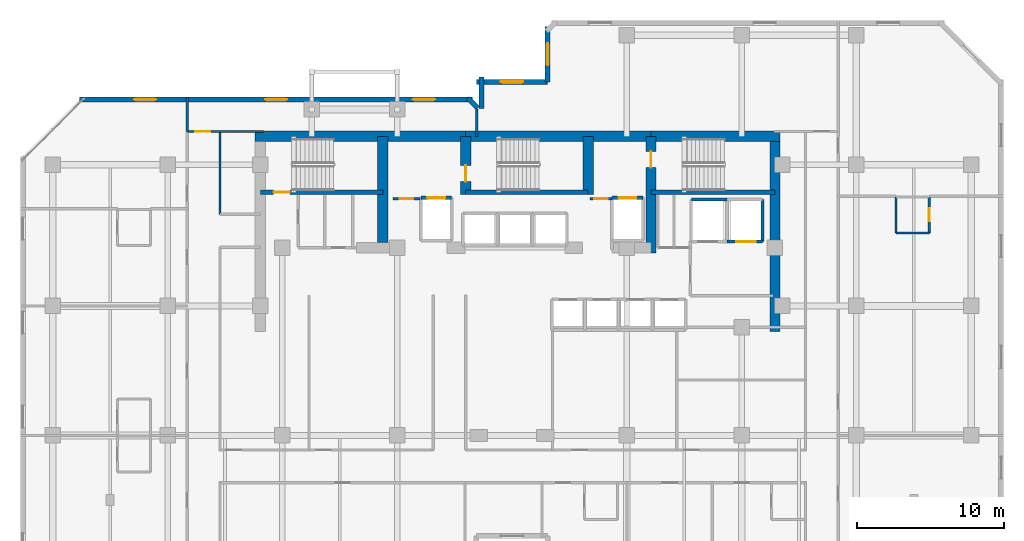
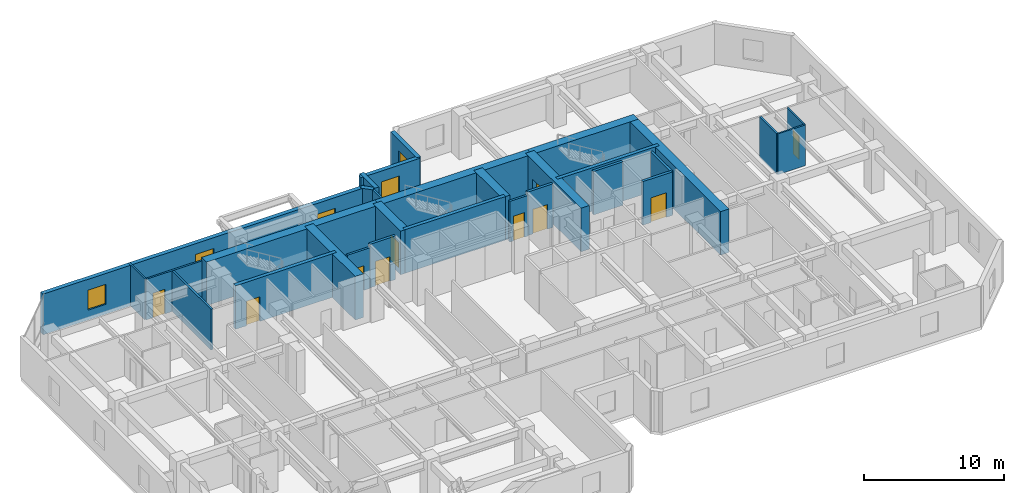
# One storey, part 7 of 10: 30 walls, 10 doors, 5 windows, 15 openings.
"""IFC4 building model written with IfcOpenShell, lengths in metres."""

import ifcopenshell
import ifcopenshell.guid

model = None  # the IFC model being written
_history = None  # IfcOwnerHistory: only IFC2X3 demands one
_inside = {}  # id of a spatial element -> (the spatial element, [elements in it])
_under = {}  # id of a project, library or spatial element -> (it, [spatial elements below it])
_declared = {}  # id of a project -> (the project, [libraries it declares])
_typed = {}  # id of a type object -> (the type object, [elements of that type])
_made_of = {}  # id of a material, layer set ... -> (it, [elements and type objects made of it])


def new_model(schema):
    """Start an empty IFC model of exactly this schema.

    Asked for "IFC4X3", IfcOpenShell would pick the latest addendum, in which some entities
    have other attributes; the version numbers below select the first issue.
    IFC2X3 requires an IfcOwnerHistory on every rooted entity: one is made here for all.
    """
    global model, _history
    if schema == "IFC4X3":
        model = ifcopenshell.file(schema_version=(4, 3, 0, 0))
    else:
        model = ifcopenshell.file(schema=schema)
    _inside.clear()
    _under.clear()
    _declared.clear()
    _typed.clear()
    _made_of.clear()
    _history = None
    if model.schema == "IFC2X3":
        org = make("IfcOrganization", Name="unknown")
        user = make(
            "IfcPersonAndOrganization",
            ThePerson=make("IfcPerson", FamilyName="unknown"),
            TheOrganization=org,
        )
        app = make(
            "IfcApplication",
            ApplicationDeveloper=org,
            Version="unknown",
            ApplicationFullName="unknown",
            ApplicationIdentifier="unknown",
        )
        _history = make(
            "IfcOwnerHistory",
            OwningUser=user,
            OwningApplication=app,
            ChangeAction="ADDED",
            CreationDate=0,
        )
    return model


def make(cls, **values):
    """One entity of the class cls with the attributes given. An attribute that is None is left unset."""
    return model.create_entity(
        cls, **{name: value for name, value in values.items() if value is not None}
    )


def rooted(cls, **values):
    """An entity with a GlobalId (a new one), such as an element, a storey or a relation."""
    return make(cls, GlobalId=ifcopenshell.guid.new(), OwnerHistory=_history, **values)


def si_unit(unit_type, name, prefix=None):
    """IfcSIUnit, for example si_unit("LENGTHUNIT", "METRE", prefix="MILLI")."""
    return make("IfcSIUnit", UnitType=unit_type, Prefix=prefix, Name=name)


def assignment(units):
    """IfcUnitAssignment: the units of a project."""
    return None if units is None else make("IfcUnitAssignment", Units=units)


def point(xyz):
    """IfcCartesianPoint."""
    return None if xyz is None else make("IfcCartesianPoint", Coordinates=xyz)


def direction(xyz):
    """IfcDirection."""
    return None if xyz is None else make("IfcDirection", DirectionRatios=xyz)


def frame(location, z_axis=None, x_axis=None):
    """IfcAxis2Placement3D, a coordinate frame: its origin and axes. An axis left out is left unset."""
    return make(
        "IfcAxis2Placement3D",
        Location=point(location),
        Axis=direction(z_axis),
        RefDirection=direction(x_axis),
    )


def frame_2d(location, x_axis=None):
    """IfcAxis2Placement2D, a coordinate frame in the plane: its origin and x axis."""
    return make(
        "IfcAxis2Placement2D", Location=point(location), RefDirection=direction(x_axis)
    )


def origin():
    """The frame at (0, 0, 0) with its axes left unset."""
    return frame((0.0, 0.0, 0.0))


def place(relative_to, where):
    """IfcLocalPlacement: puts the frame where relative to a parent placement (None: the world)."""
    return make(
        "IfcLocalPlacement", PlacementRelTo=relative_to, RelativePlacement=where
    )


def context(
    kind, dimensions, precision=None, world=None, true_north=None, identifier=None
):
    """IfcGeometricRepresentationContext, for example the 3D "Model" context."""
    return make(
        "IfcGeometricRepresentationContext",
        ContextIdentifier=identifier,
        ContextType=kind,
        CoordinateSpaceDimension=dimensions,
        Precision=precision,
        WorldCoordinateSystem=world,
        TrueNorth=true_north,
    )


def subcontext(parent, identifier, kind, view, scale=None):
    """IfcGeometricRepresentationSubContext, for example "Body" below "Model"."""
    return make(
        "IfcGeometricRepresentationSubContext",
        ContextIdentifier=identifier,
        ContextType=kind,
        ParentContext=parent,
        TargetScale=scale,
        TargetView=view,
    )


def project(units=None, contexts=None):
    """IfcProject with its units and contexts."""
    return rooted(
        "IfcProject",
        Name="project",
        RepresentationContexts=contexts,
        UnitsInContext=assignment(units),
    )


def spatial(cls, under=None, at=None, **own):
    """A site, building, storey or space (cls), placed at a placement, below another one or the project."""
    s = rooted(cls, ObjectPlacement=at, **own)
    if under is not None:
        _under.setdefault(under.id(), (under, []))[1].append(s)
    return s


def profile(cls, at=None, kind="AREA", **sizes):
    """A parametric profile (cls). Its sizes go by their IFC names, for example OverallWidth=200.0."""
    return make(cls, ProfileType=kind, Position=at, **sizes)


def rectangle(**sizes):
    """IfcRectangleProfileDef."""
    return profile("IfcRectangleProfileDef", **sizes)


def extrude(swept, where, along, depth):
    """IfcExtrudedAreaSolid: the profile swept, set in the frame where, extruded along a direction by depth."""
    return make(
        "IfcExtrudedAreaSolid",
        SweptArea=swept,
        Position=where,
        ExtrudedDirection=direction(along),
        Depth=depth,
    )


def shape(context_of_items, identifier, shape_type, items):
    """IfcShapeRepresentation: the items that make up one representation, for example the "Body"."""
    return make(
        "IfcShapeRepresentation",
        ContextOfItems=context_of_items,
        RepresentationIdentifier=identifier,
        RepresentationType=shape_type,
        Items=items,
    )


def material(Name=None, Category=None):
    """IfcMaterial."""
    return make("IfcMaterial", Name=Name, Category=Category)


def layer(
    of_material, thickness, ventilated=None, Name=None, Category=None, Priority=None
):
    """IfcMaterialLayer: one layer of a wall or slab, of a material (None: an air gap)."""
    return make(
        "IfcMaterialLayer",
        Material=of_material,
        LayerThickness=thickness,
        IsVentilated=ventilated,
        Name=Name,
        Category=Category,
        Priority=Priority,
    )


def layer_set(layers, Name=None):
    """IfcMaterialLayerSet."""
    return make("IfcMaterialLayerSet", MaterialLayers=layers, LayerSetName=Name)


def made_of(thing, what):
    """Note that an element or type object is made of a material, layer set ...; save() writes the relation."""
    if what is not None:
        _made_of.setdefault(what.id(), (what, []))[1].append(thing)
    return thing


def type_object(cls, material=None, **own):
    """A type object (cls), such as IfcWallType, which elements share."""
    return made_of(rooted(cls, **own), material)


def element(
    cls,
    number,
    at=None,
    inside=None,
    cuts=None,
    type_object=None,
    material=None,
    context=None,
    identifier="Body",
    shape_type=None,
    held_by="IfcProductDefinitionShape",
    body=None,
    shapes=None,
    **own,
):
    """One element of the class cls, such as IfcWall. Its Tag is "e" and its number.

    at: its placement. inside: the storey or other place that contains it. cuts: it is an
    opening in that element (IfcRelVoidsElement). A single representation is given by context,
    identifier, shape_type and body (its items); several are given by shapes. held_by: the class
    of the entity that holds the representations. save() writes the other relations.
    """
    e = rooted(cls, Tag="e%d" % number, ObjectPlacement=at, **own)
    if body is not None:
        shapes = [shape(context, identifier, shape_type, body)]
    if shapes is not None:
        e.Representation = make(held_by, Representations=shapes)
    if inside is not None:
        _inside.setdefault(inside.id(), (inside, []))[1].append(e)
    if cuts is not None:
        rooted(
            "IfcRelVoidsElement", RelatingBuildingElement=cuts, RelatedOpeningElement=e
        )
    if type_object is not None:
        _typed.setdefault(type_object.id(), (type_object, []))[1].append(e)
    return made_of(e, material)


def fill(opening, filler):
    """IfcRelFillsElement: the door or window that sits in an opening."""
    return rooted(
        "IfcRelFillsElement",
        RelatingOpeningElement=opening,
        RelatedBuildingElement=filler,
    )


def aggregate(whole, parts):
    """IfcRelAggregates: a whole, such as a stair, and the parts it consists of."""
    return rooted("IfcRelAggregates", RelatingObject=whole, RelatedObjects=parts)


def save(model, path):
    """Write the relations noted so far, then the file.

    IfcRelAggregates (storeys below a building ...), IfcRelContainedInSpatialStructure (elements
    in a storey), IfcRelDefinesByType, IfcRelAssociatesMaterial and IfcRelDeclares: one each for
    every whole, place, type object, material and project.
    """
    for whole, parts in _under.values():
        aggregate(whole, parts)
    for where, things in _inside.values():
        rooted(
            "IfcRelContainedInSpatialStructure",
            RelatedElements=things,
            RelatingStructure=where,
        )
    for kind, things in _typed.values():
        rooted("IfcRelDefinesByType", RelatedObjects=things, RelatingType=kind)
    for what, things in _made_of.values():
        rooted("IfcRelAssociatesMaterial", RelatedObjects=things, RelatingMaterial=what)
    for by, libraries in _declared.values():
        rooted("IfcRelDeclares", RelatingContext=by, RelatedDefinitions=libraries)
    model.write(path)


model = new_model("IFC4")

# Units and contexts
model_context = context("Model", 3, precision=1e-05, world=origin(), true_north=direction((0.0, 1.0)))
body_context = subcontext(model_context, "Body", "Model", "MODEL_VIEW")
ifc_project = project(units=[si_unit("LENGTHUNIT", "METRE"), si_unit("AREAUNIT", "SQUARE_METRE"), si_unit("VOLUMEUNIT", "CUBIC_METRE"), si_unit("PLANEANGLEUNIT", "RADIAN"), si_unit("MASSUNIT", "GRAM", prefix="KILO")], contexts=[model_context])

# Site, building, storey
site_placement = place(None, origin())
site = spatial("IfcSite", under=ifc_project, at=site_placement, CompositionType="ELEMENT")
building_placement = place(site_placement, origin())
building = spatial("IfcBuilding", under=site, at=building_placement, Name="Kestravale Grand Hotel", CompositionType="ELEMENT")
storey_placement = place(building_placement, frame((0.0, 0.0, 138.39990234375)))
storey = spatial("IfcBuildingStorey", under=building, at=storey_placement, Name="L34", CompositionType="ELEMENT", Elevation=138.39990234375)

# Walls
ifc_material_1 = material(Name="Concrete f'c 60 MPa", Category="concrete")
ifc_layer_1 = layer(ifc_material_1, 0.699951171875)
ifc_layer_set_1 = layer_set([ifc_layer_1], Name="EW-CORE-700")
wall_type_1 = type_object("IfcWallType", Name="EW-CORE-700", PredefinedType="SHEAR", material=ifc_layer_set_1)
wall_1_placement = place(storey_placement, frame((21.550048828125, 40.320068359375, 0.0), z_axis=(0.0, 0.0, 1.0), x_axis=(1.0, 0.0, 0.0)))
element("IfcWall", 1, at=wall_1_placement, inside=storey, type_object=wall_type_1, Name="L34 core shear wall N1", PredefinedType="SHEAR", context=body_context, shape_type="SweptSolid", body=[
    extrude(rectangle(XDim=14.300048828125, YDim=0.699951171875, at=frame_2d((7.14990234375, 0.0))), origin(), (0.0, 0.0, 1.0), 3.800048828125),
])
wall_2_placement = place(storey_placement, frame((35.85009765625, 40.320068359375, 0.0), z_axis=(0.0, 0.0, 1.0), x_axis=(1.0, 0.0, 0.0)))
element("IfcWall", 2, at=wall_2_placement, inside=storey, type_object=wall_type_1, Name="L34 core shear wall N2", PredefinedType="SHEAR", context=body_context, shape_type="SweptSolid", body=[
    extrude(rectangle(XDim=12.599853515625, YDim=0.699951171875, at=frame_2d((6.2998046875, 0.0))), origin(), (0.0, 0.0, 1.0), 3.800048828125),
])
wall_3_placement = place(storey_placement, frame((48.449951171875, 40.320068359375, 0.0), z_axis=(0.0, 0.0, 1.0), x_axis=(1.0, 0.0, 0.0)))
element("IfcWall", 3, at=wall_3_placement, inside=storey, type_object=wall_type_1, Name="L34 core shear wall N3", PredefinedType="SHEAR", context=body_context, shape_type="SweptSolid", body=[
    extrude(rectangle(XDim=8.77001953125, YDim=0.699951171875, at=frame_2d((4.385009765625, 0.0))), origin(), (0.0, 0.0, 1.0), 3.800048828125),
])
wall_4_placement = place(storey_placement, frame((56.8701171875, 27.050048828125, 0.0), z_axis=(0.0, 0.0, 1.0), x_axis=(0.0, 1.0, 0.0)))
element("IfcWall", 4, at=wall_4_placement, inside=storey, type_object=wall_type_1, Name="L34 core shear wall E1", PredefinedType="SHEAR", context=body_context, shape_type="SweptSolid", body=[
    extrude(rectangle(XDim=13.619873046875, YDim=0.699951171875, at=frame_2d((6.81005859375, 0.0))), origin(), (0.0, 0.0, 1.0), 3.800048828125),
])
wall_5_placement = place(storey_placement, frame((30.219970703125, 33.10009765625, 0.0), z_axis=(0.0, 0.0, 1.0), x_axis=(0.0, 1.0, 0.0)))
element("IfcWall", 5, at=wall_5_placement, inside=storey, type_object=wall_type_1, Name="L34 core shear wall X1", PredefinedType="SHEAR", context=body_context, shape_type="SweptSolid", body=[
    extrude(rectangle(XDim=7.219970703125, YDim=0.699951171875, at=frame_2d((3.60986328125, 0.0))), origin(), (0.0, 0.0, 1.0), 3.800048828125),
])

# Wall, opening, door
wall_6_placement = place(storey_placement, frame((35.85009765625, 36.3701171875, 0.0), z_axis=(0.0, 0.0, 1.0), x_axis=(0.0, 1.0, 0.0)))
wall_6 = element("IfcWall", 6, at=wall_6_placement, inside=storey, type_object=wall_type_1, Name="L34 core shear wall X2", PredefinedType="SHEAR", context=body_context, shape_type="SweptSolid", body=[
    extrude(rectangle(XDim=3.949951171875, YDim=0.699951171875, at=frame_2d((1.97509765625, 0.0))), origin(), (0.0, 0.0, 1.0), 3.800048828125),
])
opening_1_placement = place(wall_6_placement, frame((0.8798828125, 0.0, 0.0)))
opening_1 = element("IfcOpeningElement", 7, at=opening_1_placement, cuts=wall_6, Name="Opening D-ST-1100", PredefinedType="OPENING", context=body_context, shape_type="SweptSolid", body=[
    extrude(rectangle(XDim=1.10009765625, YDim=2.14990234375, at=frame_2d((0.550048828125, 1.074951171875))), frame((0.0, 0.35986328125, 0.0), z_axis=(0.0, -1.0, 0.0), x_axis=(1.0, 0.0, 0.0)), (0.0, 0.0, 1.0), 0.719970703125),
])
ifc_material_2 = material(Name="Galvanised 90-minute fire-rated steel stair door", Category="steel")
door_type_1 = type_object("IfcDoorType", Name="D-ST-1100", OperationType="NOTDEFINED", PredefinedType="DOOR", material=ifc_material_2)
door_1_placement = place(opening_1_placement, origin())
door_1 = element("IfcDoor", 8, at=door_1_placement, inside=storey, type_object=door_type_1, Name="L34 Stair ST-2 FSAE fire door", OperationType="SINGLE_SWING_RIGHT", OverallHeight=2.14990234375, OverallWidth=1.10009765625, PredefinedType="DOOR", context=body_context, shape_type="SweptSolid", body=[
    extrude(rectangle(XDim=1.10009765625, YDim=2.14990234375, at=frame_2d((0.550048828125, 1.074951171875))), frame((0.0, 0.02490234375, 0.0), z_axis=(0.0, -1.0, 0.0), x_axis=(1.0, 0.0, 0.0)), (0.0, 0.0, 1.0), 0.050048828125),
])
fill(opening_1, door_1)

# Wall
wall_7_placement = place(storey_placement, frame((44.179931640625, 36.3701171875, 0.0), z_axis=(0.0, 0.0, 1.0), x_axis=(0.0, 1.0, 0.0)))
element("IfcWall", 9, at=wall_7_placement, inside=storey, type_object=wall_type_1, Name="L34 core shear wall X3", PredefinedType="SHEAR", context=body_context, shape_type="SweptSolid", body=[
    extrude(rectangle(XDim=3.949951171875, YDim=0.699951171875, at=frame_2d((1.97509765625, 0.0))), origin(), (0.0, 0.0, 1.0), 3.800048828125),
])

# Wall, opening, door
wall_8_placement = place(storey_placement, frame((48.449951171875, 32.39990234375, 0.0), z_axis=(0.0, 0.0, 1.0), x_axis=(0.0, 1.0, 0.0)))
wall_8 = element("IfcWall", 10, at=wall_8_placement, inside=storey, type_object=wall_type_1, Name="L34 core shear wall X4", PredefinedType="SHEAR", context=body_context, shape_type="SweptSolid", body=[
    extrude(rectangle(XDim=7.920166015625, YDim=0.699951171875, at=frame_2d((3.9599609375, 0.0))), origin(), (0.0, 0.0, 1.0), 3.800048828125),
])
opening_2_placement = place(wall_8_placement, frame((5.800048828125, 0.0, 0.0)))
opening_2 = element("IfcOpeningElement", 11, at=opening_2_placement, cuts=wall_8, Name="Opening D-ST-1100", PredefinedType="OPENING", context=body_context, shape_type="SweptSolid", body=[
    extrude(rectangle(XDim=1.10009765625, YDim=2.14990234375, at=frame_2d((0.550048828125, 1.074951171875))), frame((0.0, 0.35986328125, 0.0), z_axis=(0.0, -1.0, 0.0), x_axis=(1.0, 0.0, 0.0)), (0.0, 0.0, 1.0), 0.719970703125),
])
door_2_placement = place(opening_2_placement, origin())
door_2 = element("IfcDoor", 12, at=door_2_placement, inside=storey, type_object=door_type_1, Name="L34 Stair ST-3 FSAE fire door", OperationType="SINGLE_SWING_RIGHT", OverallHeight=2.14990234375, OverallWidth=1.10009765625, PredefinedType="DOOR", context=body_context, shape_type="SweptSolid", body=[
    extrude(rectangle(XDim=1.10009765625, YDim=2.14990234375, at=frame_2d((0.550048828125, 1.074951171875))), frame((0.0, 0.02490234375, 0.0), z_axis=(0.0, -1.0, 0.0), x_axis=(1.0, 0.0, 0.0)), (0.0, 0.0, 1.0), 0.050048828125),
])
fill(opening_2, door_2)

# Wall, opening, window
ifc_material_3 = material(Name="Precast concrete f'c 45 MPa", Category="concrete")
ifc_layer_2 = layer(ifc_material_3, 0.340087890625)
ifc_layer_set_2 = layer_set([ifc_layer_2], Name="EW-PREC-340")
wall_type_2 = type_object("IfcWallType", Name="EW-PREC-340", PredefinedType="SOLIDWALL", material=ifc_layer_set_2)
wall_9_placement = place(storey_placement, frame((41.419921875, 47.77001953125, 0.0), z_axis=(0.0, 0.0, 1.0), x_axis=(0.0, -1.0, 0.0)))
wall_9 = element("IfcWall", 13, at=wall_9_placement, inside=storey, type_object=wall_type_2, Name="L34 fluted precast facade wall 13", PredefinedType="SOLIDWALL", context=body_context, shape_type="SweptSolid", body=[
    extrude(rectangle(XDim=3.739990234375, YDim=0.340087890625, at=frame_2d((1.8701171875, 0.0))), origin(), (0.0, 0.0, 1.0), 3.550048828125),
])
opening_3_placement = place(wall_9_placement, frame((1.1201171875, 0.0, 0.85009765625)))
opening_3 = element("IfcOpeningElement", 14, at=opening_3_placement, cuts=wall_9, Name="Opening W-GUEST-1500", PredefinedType="OPENING", context=body_context, shape_type="SweptSolid", body=[
    extrude(rectangle(XDim=1.5, YDim=1.75, at=frame_2d((0.75, 0.875))), frame((0.0, 0.179931640625, 0.0), z_axis=(0.0, -1.0, 0.0), x_axis=(1.0, 0.0, 0.0)), (0.0, 0.0, 1.0), 0.360107421875),
])
ifc_material_4 = material(Name="Insulated low-E double glazing in aluminium frame", Category="aluminium")
window_type = type_object("IfcWindowType", Name="W-GUEST-1500", PartitioningType="SINGLE_PANEL", PredefinedType="WINDOW", material=ifc_material_4)
window_1_placement = place(opening_3_placement, origin())
window_1 = element("IfcWindow", 15, at=window_1_placement, inside=storey, type_object=window_type, Name="L34 exterior window 13.1", OverallHeight=1.75, OverallWidth=1.5, PartitioningType="SINGLE_PANEL", PredefinedType="WINDOW", context=body_context, shape_type="SweptSolid", body=[
    extrude(rectangle(XDim=1.5, YDim=1.75, at=frame_2d((0.75, 0.875))), frame((0.0, 0.030029296875, 0.0), z_axis=(0.0, -1.0, 0.0), x_axis=(1.0, 0.0, 0.0)), (0.0, 0.0, 1.0), 0.06005859375),
])
fill(opening_3, window_1)

wall_10_placement = place(storey_placement, frame((41.419921875, 44.030029296875, 0.0), z_axis=(0.0, 0.0, 1.0), x_axis=(-1.0, 0.0, 0.0)))
wall_10 = element("IfcWall", 16, at=wall_10_placement, inside=storey, type_object=wall_type_2, Name="L34 fluted precast facade wall 14", PredefinedType="SOLIDWALL", context=body_context, shape_type="SweptSolid", body=[
    extrude(rectangle(XDim=4.83984375, YDim=0.340087890625, at=frame_2d((2.419921875, 0.0))), origin(), (0.0, 0.0, 1.0), 3.550048828125),
])
opening_4_placement = place(wall_10_placement, frame((1.669921875, 0.0, 0.85009765625)))
opening_4 = element("IfcOpeningElement", 17, at=opening_4_placement, cuts=wall_10, Name="Opening W-GUEST-1500", PredefinedType="OPENING", context=body_context, shape_type="SweptSolid", body=[
    extrude(rectangle(XDim=1.5, YDim=1.75, at=frame_2d((0.75, 0.875))), frame((0.0, 0.179931640625, 0.0), z_axis=(0.0, -1.0, 0.0), x_axis=(1.0, 0.0, 0.0)), (0.0, 0.0, 1.0), 0.360107421875),
])
window_2_placement = place(opening_4_placement, origin())
window_2 = element("IfcWindow", 18, at=window_2_placement, inside=storey, type_object=window_type, Name="L34 exterior window 14.1", OverallHeight=1.75, OverallWidth=1.5, PartitioningType="SINGLE_PANEL", PredefinedType="WINDOW", context=body_context, shape_type="SweptSolid", body=[
    extrude(rectangle(XDim=1.5, YDim=1.75, at=frame_2d((0.75, 0.875))), frame((0.0, 0.030029296875, 0.0), z_axis=(0.0, -1.0, 0.0), x_axis=(1.0, 0.0, 0.0)), (0.0, 0.0, 1.0), 0.06005859375),
])
fill(opening_4, window_2)

# Walls
wall_11_placement = place(storey_placement, frame((36.919921875, 44.3701171875, 0.0), z_axis=(0.0, 0.0, 1.0), x_axis=(0.0, -1.0, 0.0)))
element("IfcWall", 19, at=wall_11_placement, inside=storey, type_object=wall_type_2, Name="L34 fluted precast facade wall 15", PredefinedType="SOLIDWALL", context=body_context, shape_type="SweptSolid", body=[
    extrude(rectangle(XDim=2.14013671875, YDim=0.340087890625, at=frame_2d((1.070068359375, 0.0))), origin(), (0.0, 0.0, 1.0), 3.550048828125),
])
wall_12_placement = place(storey_placement, frame((36.658203125, 42.25146484375, 0.0), z_axis=(0.0, 0.0, 1.0), x_axis=(-0.707106781187, 0.707106781187, 0.0)))
element("IfcWall", 20, at=wall_12_placement, inside=storey, type_object=wall_type_2, Name="L34 fluted precast facade wall 16", PredefinedType="SOLIDWALL", context=body_context, shape_type="SweptSolid", body=[
    extrude(rectangle(XDim=0.9287109375, YDim=0.340087890625, at=frame_2d((0.46435546875, 0.0))), origin(), (0.0, 0.0, 1.0), 3.550048828125),
])

# Wall, openings, windows
wall_13_placement = place(storey_placement, frame((36.320068359375, 42.830078125, 0.0), z_axis=(0.0, 0.0, 1.0), x_axis=(-1.0, 0.0, 0.0)))
wall_13 = element("IfcWall", 21, at=wall_13_placement, inside=storey, type_object=wall_type_2, Name="L34 fluted precast facade wall 17", PredefinedType="SOLIDWALL", context=body_context, shape_type="SweptSolid", body=[
    extrude(rectangle(XDim=26.690185546875, YDim=0.340087890625, at=frame_2d((13.34521484375, 0.0))), origin(), (0.0, 0.0, 1.0), 3.550048828125),
])
opening_5_placement = place(wall_13_placement, frame((2.54833984375, 0.0, 0.85009765625)))
opening_5 = element("IfcOpeningElement", 22, at=opening_5_placement, cuts=wall_13, Name="Opening W-GUEST-1500", PredefinedType="OPENING", context=body_context, shape_type="SweptSolid", body=[
    extrude(rectangle(XDim=1.5, YDim=1.75, at=frame_2d((0.75, 0.875))), frame((0.0, 0.179931640625, 0.0), z_axis=(0.0, -1.0, 0.0), x_axis=(1.0, 0.0, 0.0)), (0.0, 0.0, 1.0), 0.360107421875),
])
opening_6_placement = place(wall_13_placement, frame((12.594970703125, 0.0, 0.85009765625)))
opening_6 = element("IfcOpeningElement", 23, at=opening_6_placement, cuts=wall_13, Name="Opening W-GUEST-1500", PredefinedType="OPENING", context=body_context, shape_type="SweptSolid", body=[
    extrude(rectangle(XDim=1.5, YDim=1.75, at=frame_2d((0.75, 0.875))), frame((0.0, 0.179931640625, 0.0), z_axis=(0.0, -1.0, 0.0), x_axis=(1.0, 0.0, 0.0)), (0.0, 0.0, 1.0), 0.360107421875),
])
opening_7_placement = place(wall_13_placement, frame((21.49169921875, 0.0, 0.85009765625)))
opening_7 = element("IfcOpeningElement", 24, at=opening_7_placement, cuts=wall_13, Name="Opening W-GUEST-1500", PredefinedType="OPENING", context=body_context, shape_type="SweptSolid", body=[
    extrude(rectangle(XDim=1.5, YDim=1.75, at=frame_2d((0.75, 0.875))), frame((0.0, 0.179931640625, 0.0), z_axis=(0.0, -1.0, 0.0), x_axis=(1.0, 0.0, 0.0)), (0.0, 0.0, 1.0), 0.360107421875),
])
window_3_placement = place(opening_5_placement, origin())
window_3 = element("IfcWindow", 25, at=window_3_placement, inside=storey, type_object=window_type, Name="L34 exterior window 17.1", OverallHeight=1.75, OverallWidth=1.5, PartitioningType="SINGLE_PANEL", PredefinedType="WINDOW", context=body_context, shape_type="SweptSolid", body=[
    extrude(rectangle(XDim=1.5, YDim=1.75, at=frame_2d((0.75, 0.875))), frame((0.0, 0.030029296875, 0.0), z_axis=(0.0, -1.0, 0.0), x_axis=(1.0, 0.0, 0.0)), (0.0, 0.0, 1.0), 0.06005859375),
])
fill(opening_5, window_3)
window_4_placement = place(opening_6_placement, origin())
window_4 = element("IfcWindow", 26, at=window_4_placement, inside=storey, type_object=window_type, Name="L34 exterior window 17.2", OverallHeight=1.75, OverallWidth=1.5, PartitioningType="SINGLE_PANEL", PredefinedType="WINDOW", context=body_context, shape_type="SweptSolid", body=[
    extrude(rectangle(XDim=1.5, YDim=1.75, at=frame_2d((0.75, 0.875))), frame((0.0, 0.030029296875, 0.0), z_axis=(0.0, -1.0, 0.0), x_axis=(1.0, 0.0, 0.0)), (0.0, 0.0, 1.0), 0.06005859375),
])
fill(opening_6, window_4)
window_5_placement = place(opening_7_placement, origin())
window_5 = element("IfcWindow", 27, at=window_5_placement, inside=storey, type_object=window_type, Name="L34 exterior window 17.3", OverallHeight=1.75, OverallWidth=1.5, PartitioningType="SINGLE_PANEL", PredefinedType="WINDOW", context=body_context, shape_type="SweptSolid", body=[
    extrude(rectangle(XDim=1.5, YDim=1.75, at=frame_2d((0.75, 0.875))), frame((0.0, 0.030029296875, 0.0), z_axis=(0.0, -1.0, 0.0), x_axis=(1.0, 0.0, 0.0)), (0.0, 0.0, 1.0), 0.06005859375),
])
fill(opening_7, window_5)

# Wall, opening, door
ifc_material_5 = material(Name="Concrete f'c 45 MPa", Category="concrete")
ifc_layer_3 = layer(ifc_material_5, 0.300048828125)
ifc_layer_set_3 = layer_set([ifc_layer_3], Name="EW-STAIR-300")
wall_type_3 = type_object("IfcWallType", Name="EW-STAIR-300", PredefinedType="SHEAR", material=ifc_layer_set_3)
wall_14_placement = place(storey_placement, frame((21.89990234375, 36.52001953125, 0.0), z_axis=(0.0, 0.0, 1.0), x_axis=(1.0, 0.0, 0.0)))
wall_14 = element("IfcWall", 28, at=wall_14_placement, inside=storey, type_object=wall_type_3, Name="L34 stair enclosure shear wall SST1", PredefinedType="SHEAR", context=body_context, shape_type="SweptSolid", body=[
    extrude(rectangle(XDim=8.320068359375, YDim=0.300048828125, at=frame_2d((4.16015625, 0.0))), origin(), (0.0, 0.0, 1.0), 3.800048828125),
])
opening_8_placement = place(wall_14_placement, frame((0.89990234375, 0.0, 0.0)))
opening_8 = element("IfcOpeningElement", 29, at=opening_8_placement, cuts=wall_14, Name="Opening D-ST-1100", PredefinedType="OPENING", context=body_context, shape_type="SweptSolid", body=[
    extrude(rectangle(XDim=1.10009765625, YDim=2.14990234375, at=frame_2d((0.550048828125, 1.074951171875))), frame((0.0, 0.159912109375, 0.0), z_axis=(0.0, -1.0, 0.0), x_axis=(1.0, 0.0, 0.0)), (0.0, 0.0, 1.0), 0.320068359375),
])
door_3_placement = place(opening_8_placement, origin())
door_3 = element("IfcDoor", 30, at=door_3_placement, inside=storey, type_object=door_type_1, Name="L34 Stair ST-1 fire door", OperationType="SINGLE_SWING_RIGHT", OverallHeight=2.14990234375, OverallWidth=1.10009765625, PredefinedType="DOOR", context=body_context, shape_type="SweptSolid", body=[
    extrude(rectangle(XDim=1.10009765625, YDim=2.14990234375, at=frame_2d((0.550048828125, 1.074951171875))), frame((0.0, 0.02490234375, 0.0), z_axis=(0.0, -1.0, 0.0), x_axis=(1.0, 0.0, 0.0)), (0.0, 0.0, 1.0), 0.050048828125),
])
fill(opening_8, door_3)

# Walls
wall_15_placement = place(storey_placement, frame((35.85009765625, 36.52001953125, 0.0), z_axis=(0.0, 0.0, 1.0), x_axis=(1.0, 0.0, 0.0)))
element("IfcWall", 31, at=wall_15_placement, inside=storey, type_object=wall_type_3, Name="L34 stair enclosure shear wall SST2", PredefinedType="SHEAR", context=body_context, shape_type="SweptSolid", body=[
    extrude(rectangle(XDim=8.329833984375, YDim=0.300048828125, at=frame_2d((4.1650390625, 0.0))), origin(), (0.0, 0.0, 1.0), 3.800048828125),
])
wall_16_placement = place(storey_placement, frame((48.449951171875, 36.52001953125, 0.0), z_axis=(0.0, 0.0, 1.0), x_axis=(1.0, 0.0, 0.0)))
element("IfcWall", 32, at=wall_16_placement, inside=storey, type_object=wall_type_3, Name="L34 stair enclosure shear wall SST3", PredefinedType="SHEAR", context=body_context, shape_type="SweptSolid", body=[
    extrude(rectangle(XDim=8.420166015625, YDim=0.300048828125, at=frame_2d((4.2099609375, 0.0))), origin(), (0.0, 0.0, 1.0), 3.800048828125),
])
ifc_material_6 = material(Name="Acoustic fire-rated gypsum board partition", Category="other")
ifc_layer_4 = layer(ifc_material_6, 0.159912109375)
ifc_layer_set_4 = layer_set([ifc_layer_4], Name="IW-CORR-160")
wall_type_4 = type_object("IfcWallType", Name="IW-CORR-160", PredefinedType="PARTITIONING", material=ifc_layer_set_4)
wall_17_placement = place(storey_placement, frame((19.159912109375, 35.02001953125, 0.0), z_axis=(0.0, 0.0, 1.0), x_axis=(0.0, 1.0, 0.0)))
element("IfcWall", 33, at=wall_17_placement, inside=storey, type_object=wall_type_4, Name="W-L34-SW-EN", PredefinedType="PARTITIONING", context=body_context, shape_type="SweptSolid", body=[
    extrude(rectangle(XDim=5.6298828125, YDim=0.159912109375, at=frame_2d((2.81494140625, 0.0))), origin(), (0.0, 0.0, 1.0), 3.550048828125),
])

# Wall, opening, door
ifc_material_7 = material(Name="Fire-rated gypsum board on steel studs with mineral wool", Category="steel")
ifc_layer_5 = layer(ifc_material_7, 0.179931640625)
ifc_layer_set_5 = layer_set([ifc_layer_5], Name="IW-FSAE-180")
wall_type_5 = type_object("IfcWallType", Name="IW-FSAE-180", PredefinedType="PARTITIONING", material=ifc_layer_set_5)
wall_18_placement = place(storey_placement, frame((30.89990234375, 36.080078125, 0.0), z_axis=(0.0, 0.0, 1.0), x_axis=(1.0, 0.0, 0.0)))
wall_18 = element("IfcWall", 34, at=wall_18_placement, inside=storey, type_object=wall_type_5, Name="L34 FSAE Lobby 1 smoke barrier", PredefinedType="PARTITIONING", context=body_context, shape_type="SweptSolid", body=[
    extrude(rectangle(XDim=1.85009765625, YDim=0.179931640625, at=frame_2d((0.925048828125, 0.0))), origin(), (0.0, 0.0, 1.0), 3.550048828125),
])
opening_9_placement = place(wall_18_placement, frame((0.47998046875, 0.0, 0.0)))
opening_9 = element("IfcOpeningElement", 35, at=opening_9_placement, cuts=wall_18, Name="Opening D-FSAE-1000", PredefinedType="OPENING", context=body_context, shape_type="SweptSolid", body=[
    extrude(rectangle(XDim=0.89990234375, YDim=2.14990234375, at=frame_2d((0.449951171875, 1.074951171875))), frame((0.0, 0.099853515625, 0.0), z_axis=(0.0, -1.0, 0.0), x_axis=(1.0, 0.0, 0.0)), (0.0, 0.0, 1.0), 0.199951171875),
])
ifc_material_8 = material(Name="Smoke-gasketed FSAE lobby fire door", Category="steel")
door_type_2 = type_object("IfcDoorType", Name="D-FSAE-1000", OperationType="NOTDEFINED", PredefinedType="DOOR", material=ifc_material_8)
door_4_placement = place(opening_9_placement, origin())
door_4 = element("IfcDoor", 36, at=door_4_placement, inside=storey, type_object=door_type_2, Name="L34 FSAE Lobby 1 fire door", OperationType="SINGLE_SWING_RIGHT", OverallHeight=2.14990234375, OverallWidth=0.89990234375, PredefinedType="DOOR", context=body_context, shape_type="SweptSolid", body=[
    extrude(rectangle(XDim=0.89990234375, YDim=2.14990234375, at=frame_2d((0.449951171875, 1.074951171875))), frame((0.0, 0.02490234375, 0.0), z_axis=(0.0, -1.0, 0.0), x_axis=(1.0, 0.0, 0.0)), (0.0, 0.0, 1.0), 0.050048828125),
])
fill(opening_9, door_4)

wall_19_placement = place(storey_placement, frame((44.300048828125, 36.080078125, 0.0), z_axis=(0.0, 0.0, 1.0), x_axis=(1.0, 0.0, 0.0)))
wall_19 = element("IfcWall", 37, at=wall_19_placement, inside=storey, type_object=wall_type_5, Name="L34 FSAE Lobby 2 smoke barrier", PredefinedType="PARTITIONING", context=body_context, shape_type="SweptSolid", body=[
    extrude(rectangle(XDim=1.5, YDim=0.179931640625, at=frame_2d((0.75, 0.0))), origin(), (0.0, 0.0, 1.0), 3.550048828125),
])
opening_10_placement = place(wall_19_placement, frame((0.300048828125, 0.0, 0.0)))
opening_10 = element("IfcOpeningElement", 38, at=opening_10_placement, cuts=wall_19, Name="Opening D-FSAE-1000", PredefinedType="OPENING", context=body_context, shape_type="SweptSolid", body=[
    extrude(rectangle(XDim=0.89990234375, YDim=2.14990234375, at=frame_2d((0.449951171875, 1.074951171875))), frame((0.0, 0.099853515625, 0.0), z_axis=(0.0, -1.0, 0.0), x_axis=(1.0, 0.0, 0.0)), (0.0, 0.0, 1.0), 0.199951171875),
])
door_5_placement = place(opening_10_placement, origin())
door_5 = element("IfcDoor", 39, at=door_5_placement, inside=storey, type_object=door_type_2, Name="L34 FSAE Lobby 2 fire door", OperationType="SINGLE_SWING_LEFT", OverallHeight=2.14990234375, OverallWidth=0.89990234375, PredefinedType="DOOR", context=body_context, shape_type="SweptSolid", body=[
    extrude(rectangle(XDim=0.89990234375, YDim=2.14990234375, at=frame_2d((0.449951171875, 1.074951171875))), frame((0.0, 0.02490234375, 0.0), z_axis=(0.0, -1.0, 0.0), x_axis=(1.0, 0.0, 0.0)), (0.0, 0.0, 1.0), 0.050048828125),
])
fill(opening_10, door_5)

# Wall
ifc_material_9 = material(Name="Moisture-resistant tile-backer plumbing chase wall", Category="other")
ifc_layer_6 = layer(ifc_material_9, 0.139892578125)
ifc_layer_set_6 = layer_set([ifc_layer_6], Name="IW-PLB-140")
wall_type_6 = type_object("IfcWallType", Name="IW-PLB-140", PredefinedType="PLUMBINGWALL", material=ifc_layer_set_6)
wall_20_placement = place(storey_placement, frame((65.10009765625, 33.760009765625, 0.0), z_axis=(0.0, 0.0, 1.0), x_axis=(0.0, 1.0, 0.0)))
element("IfcWall", 40, at=wall_20_placement, inside=storey, type_object=wall_type_6, Name="W-L34-U08-BW", PredefinedType="PLUMBINGWALL", context=body_context, shape_type="SweptSolid", body=[
    extrude(rectangle(XDim=2.449951171875, YDim=0.139892578125, at=frame_2d((1.22509765625, 0.0))), origin(), (0.0, 0.0, 1.0), 3.550048828125),
])

# Wall, opening, door
wall_21_placement = place(storey_placement, frame((67.35009765625, 33.760009765625, 0.0), z_axis=(0.0, 0.0, 1.0), x_axis=(0.0, 1.0, 0.0)))
wall_21 = element("IfcWall", 41, at=wall_21_placement, inside=storey, type_object=wall_type_6, Name="W-L34-U08-BE", PredefinedType="PLUMBINGWALL", context=body_context, shape_type="SweptSolid", body=[
    extrude(rectangle(XDim=2.449951171875, YDim=0.139892578125, at=frame_2d((1.22509765625, 0.0))), origin(), (0.0, 0.0, 1.0), 3.550048828125),
])
opening_11_placement = place(wall_21_placement, frame((0.784912109375, 0.0, 0.0)))
opening_11 = element("IfcOpeningElement", 42, at=opening_11_placement, cuts=wall_21, Name="Opening D-BATH-880", PredefinedType="OPENING", context=body_context, shape_type="SweptSolid", body=[
    extrude(rectangle(XDim=0.8798828125, YDim=2.050048828125, at=frame_2d((0.43994140625, 1.02490234375))), frame((0.0, 0.079833984375, 0.0), z_axis=(0.0, -1.0, 0.0), x_axis=(1.0, 0.0, 0.0)), (0.0, 0.0, 1.0), 0.159912109375),
])
ifc_material_10 = material(Name="Moisture-sealed walnut en-suite bathroom door", Category="wood")
door_type_3 = type_object("IfcDoorType", Name="D-BATH-880", OperationType="NOTDEFINED", PredefinedType="DOOR", material=ifc_material_10)
door_6_placement = place(opening_11_placement, origin())
door_6 = element("IfcDoor", 43, at=door_6_placement, inside=storey, type_object=door_type_3, Name="D-L34-U08-BATH", OperationType="SINGLE_SWING_RIGHT", OverallHeight=2.050048828125, OverallWidth=0.8798828125, PredefinedType="DOOR", context=body_context, shape_type="SweptSolid", body=[
    extrude(rectangle(XDim=0.8798828125, YDim=2.050048828125, at=frame_2d((0.43994140625, 1.02490234375))), frame((0.0, 0.02490234375, 0.0), z_axis=(0.0, -1.0, 0.0), x_axis=(1.0, 0.0, 0.0)), (0.0, 0.0, 1.0), 0.050048828125),
])
fill(opening_11, door_6)

# Walls
wall_22_placement = place(storey_placement, frame((65.10009765625, 33.760009765625, 0.0), z_axis=(0.0, 0.0, 1.0), x_axis=(1.0, 0.0, 0.0)))
element("IfcWall", 44, at=wall_22_placement, inside=storey, type_object=wall_type_6, Name="W-L34-U08-BS", PredefinedType="PLUMBINGWALL", context=body_context, shape_type="SweptSolid", body=[
    extrude(rectangle(XDim=2.25, YDim=0.139892578125, at=frame_2d((1.125, 0.0))), origin(), (0.0, 0.0, 1.0), 3.550048828125),
])
ifc_material_11 = material(Name="Concrete f'c 45 MPa", Category="concrete")
ifc_layer_7 = layer(ifc_material_11, 0.199951171875)
ifc_layer_set_7 = layer_set([ifc_layer_7], Name="IW-SHAFT-200")
wall_type_7 = type_object("IfcWallType", Name="IW-SHAFT-200", PredefinedType="SHEAR", material=ifc_layer_set_7)
wall_23_placement = place(storey_placement, frame((56.02001953125, 33.169921875, 0.0), z_axis=(0.0, 0.0, 1.0), x_axis=(0.0, 1.0, 0.0)))
element("IfcWall", 45, at=wall_23_placement, inside=storey, type_object=wall_type_7, Name="L34 SL-2 east shaft wall", PredefinedType="SHEAR", context=body_context, shape_type="SweptSolid", body=[
    extrude(rectangle(XDim=2.860107421875, YDim=0.199951171875, at=frame_2d((1.43017578125, 0.0))), origin(), (0.0, 0.0, 1.0), 3.800048828125),
])
ifc_material_12 = material(Name="Concrete f'c 45 MPa", Category="concrete")
ifc_layer_8 = layer(ifc_material_12, 0.219970703125)
ifc_layer_set_8 = layer_set([ifc_layer_8], Name="IW-SHAFT-220")
wall_type_8 = type_object("IfcWallType", Name="IW-SHAFT-220", PredefinedType="SHEAR", material=ifc_layer_set_8)
wall_24_placement = place(storey_placement, frame((51.179931640625, 36.030029296875, 0.0), z_axis=(0.0, 0.0, 1.0), x_axis=(1.0, 0.0, 0.0)))
element("IfcWall", 46, at=wall_24_placement, inside=storey, type_object=wall_type_8, Name="L34 SL-1 north shaft wall", PredefinedType="SHEAR", context=body_context, shape_type="SweptSolid", body=[
    extrude(rectangle(XDim=2.420166015625, YDim=0.219970703125, at=frame_2d((1.2099609375, 0.0))), origin(), (0.0, 0.0, 1.0), 3.800048828125),
])

# Wall, opening, door
wall_25_placement = place(storey_placement, frame((53.60009765625, 33.169921875, 0.0), z_axis=(0.0, 0.0, 1.0), x_axis=(1.0, 0.0, 0.0)))
wall_25 = element("IfcWall", 47, at=wall_25_placement, inside=storey, type_object=wall_type_8, Name="L34 SL-2 south shaft wall", PredefinedType="SHEAR", context=body_context, shape_type="SweptSolid", body=[
    extrude(rectangle(XDim=2.419921875, YDim=0.219970703125, at=frame_2d((1.2099609375, 0.0))), origin(), (0.0, 0.0, 1.0), 3.800048828125),
])
opening_12_placement = place(wall_25_placement, frame((0.64990234375, 0.0, 0.0)))
opening_12 = element("IfcOpeningElement", 48, at=opening_12_placement, cuts=wall_25, Name="Opening LD-SVC-1300", PredefinedType="OPENING", context=body_context, shape_type="SweptSolid", body=[
    extrude(rectangle(XDim=1.300048828125, YDim=2.14990234375, at=frame_2d((0.64990234375, 1.074951171875))), frame((0.0, 0.119873046875, 0.0), z_axis=(0.0, -1.0, 0.0), x_axis=(1.0, 0.0, 0.0)), (0.0, 0.0, 1.0), 0.239990234375),
])
ifc_material_13 = material(Name="Heavy-duty service sliding elevator landing door", Category="steel")
door_type_4 = type_object("IfcDoorType", Name="LD-SVC-1300", OperationType="NOTDEFINED", PredefinedType="DOOR", material=ifc_material_13)
door_7_placement = place(opening_12_placement, origin())
door_7 = element("IfcDoor", 49, at=door_7_placement, inside=storey, type_object=door_type_4, Name="L34 SL-2 elevator landing sliding door", OperationType="DOUBLE_DOOR_SLIDING", OverallHeight=2.14990234375, OverallWidth=1.300048828125, PredefinedType="DOOR", context=body_context, shape_type="SweptSolid", body=[
    extrude(rectangle(XDim=1.300048828125, YDim=2.14990234375, at=frame_2d((0.64990234375, 1.074951171875))), frame((0.0, 0.02490234375, 0.0), z_axis=(0.0, -1.0, 0.0), x_axis=(1.0, 0.0, 0.0)), (0.0, 0.0, 1.0), 0.050048828125),
])
fill(opening_12, door_7)

wall_26_placement = place(storey_placement, frame((32.804931640625, 36.155029296875, 0.0), z_axis=(0.0, 0.0, 1.0), x_axis=(1.0, 0.0, 0.0)))
wall_26 = element("IfcWall", 50, at=wall_26_placement, inside=storey, type_object=wall_type_8, Name="L34 FL-1 north shaft wall", PredefinedType="SHEAR", context=body_context, shape_type="SweptSolid", body=[
    extrude(rectangle(XDim=2.090087890625, YDim=0.219970703125, at=frame_2d((1.044921875, 0.0))), origin(), (0.0, 0.0, 1.0), 3.800048828125),
])
opening_13_placement = place(wall_26_placement, frame((0.445068359375, 0.0, 0.0)))
opening_13 = element("IfcOpeningElement", 51, at=opening_13_placement, cuts=wall_26, Name="Opening LD-FSAE-1200", PredefinedType="OPENING", context=body_context, shape_type="SweptSolid", body=[
    extrude(rectangle(XDim=1.199951171875, YDim=2.14990234375, at=frame_2d((0.60009765625, 1.074951171875))), frame((0.0, 0.119873046875, 0.0), z_axis=(0.0, -1.0, 0.0), x_axis=(1.0, 0.0, 0.0)), (0.0, 0.0, 1.0), 0.239990234375),
])
ifc_material_14 = material(Name="Stainless fire-service sliding elevator landing door", Category="steel")
door_type_5 = type_object("IfcDoorType", Name="LD-FSAE-1200", OperationType="NOTDEFINED", PredefinedType="DOOR", material=ifc_material_14)
door_8_placement = place(opening_13_placement, origin())
door_8 = element("IfcDoor", 52, at=door_8_placement, inside=storey, type_object=door_type_5, Name="L34 FL-1 elevator landing sliding door", OperationType="DOUBLE_DOOR_SLIDING", OverallHeight=2.14990234375, OverallWidth=1.199951171875, PredefinedType="DOOR", context=body_context, shape_type="SweptSolid", body=[
    extrude(rectangle(XDim=1.199951171875, YDim=2.14990234375, at=frame_2d((0.60009765625, 1.074951171875))), frame((0.0, 0.02490234375, 0.0), z_axis=(0.0, -1.0, 0.0), x_axis=(1.0, 0.0, 0.0)), (0.0, 0.0, 1.0), 0.050048828125),
])
fill(opening_13, door_8)

wall_27_placement = place(storey_placement, frame((45.804931640625, 36.155029296875, 0.0), z_axis=(0.0, 0.0, 1.0), x_axis=(1.0, 0.0, 0.0)))
wall_27 = element("IfcWall", 53, at=wall_27_placement, inside=storey, type_object=wall_type_8, Name="L34 FL-2 north shaft wall", PredefinedType="SHEAR", context=body_context, shape_type="SweptSolid", body=[
    extrude(rectangle(XDim=2.090087890625, YDim=0.219970703125, at=frame_2d((1.044921875, 0.0))), origin(), (0.0, 0.0, 1.0), 3.800048828125),
])
opening_14_placement = place(wall_27_placement, frame((0.445068359375, 0.0, 0.0)))
opening_14 = element("IfcOpeningElement", 54, at=opening_14_placement, cuts=wall_27, Name="Opening LD-FSAE-1200", PredefinedType="OPENING", context=body_context, shape_type="SweptSolid", body=[
    extrude(rectangle(XDim=1.199951171875, YDim=2.14990234375, at=frame_2d((0.60009765625, 1.074951171875))), frame((0.0, 0.119873046875, 0.0), z_axis=(0.0, -1.0, 0.0), x_axis=(1.0, 0.0, 0.0)), (0.0, 0.0, 1.0), 0.239990234375),
])
door_9_placement = place(opening_14_placement, origin())
door_9 = element("IfcDoor", 55, at=door_9_placement, inside=storey, type_object=door_type_5, Name="L34 FL-2 elevator landing sliding door", OperationType="DOUBLE_DOOR_SLIDING", OverallHeight=2.14990234375, OverallWidth=1.199951171875, PredefinedType="DOOR", context=body_context, shape_type="SweptSolid", body=[
    extrude(rectangle(XDim=1.199951171875, YDim=2.14990234375, at=frame_2d((0.60009765625, 1.074951171875))), frame((0.0, 0.02490234375, 0.0), z_axis=(0.0, -1.0, 0.0), x_axis=(1.0, 0.0, 0.0)), (0.0, 0.0, 1.0), 0.050048828125),
])
fill(opening_14, door_9)

ifc_material_15 = material(Name="Double-stud STC 52 acoustic demising partition", Category="other")
ifc_layer_9 = layer(ifc_material_15, 0.14990234375)
ifc_layer_set_9 = layer_set([ifc_layer_9], Name="IW-UNIT-150")
wall_type_9 = type_object("IfcWallType", Name="IW-UNIT-150", PredefinedType="PARTITIONING", material=ifc_layer_set_9)
wall_28_placement = place(storey_placement, frame((16.93994140625, 40.64990234375, 0.0), z_axis=(0.0, 0.0, 1.0), x_axis=(1.0, 0.0, 0.0)))
wall_28 = element("IfcWall", 56, at=wall_28_placement, inside=storey, type_object=wall_type_9, Name="W-L34-SW-N", PredefinedType="PARTITIONING", context=body_context, shape_type="SweptSolid", body=[
    extrude(rectangle(XDim=5.16015625, YDim=0.14990234375, at=frame_2d((2.580078125, 0.0))), origin(), (0.0, 0.0, 1.0), 3.550048828125),
])
opening_15_placement = place(wall_28_placement, frame((0.550048828125, 0.0, 0.0)))
opening_15 = element("IfcOpeningElement", 57, at=opening_15_placement, cuts=wall_28, Name="Opening D-GUEST-1000", PredefinedType="OPENING", context=body_context, shape_type="SweptSolid", body=[
    extrude(rectangle(XDim=1.0, YDim=2.14990234375, at=frame_2d((0.5, 1.074951171875))), frame((0.0, 0.0849609375, 0.0), z_axis=(0.0, -1.0, 0.0), x_axis=(1.0, 0.0, 0.0)), (0.0, 0.0, 1.0), 0.169921875),
])
ifc_material_16 = material(Name="Accessible walnut veneer hotel entrance fire door", Category="wood")
door_type_6 = type_object("IfcDoorType", Name="D-GUEST-1000", OperationType="NOTDEFINED", PredefinedType="DOOR", material=ifc_material_16)
door_10_placement = place(opening_15_placement, origin())
door_10 = element("IfcDoor", 58, at=door_10_placement, inside=storey, type_object=door_type_6, Name="L34 NW Gallery Door", OperationType="SINGLE_SWING_RIGHT", OverallHeight=2.14990234375, OverallWidth=1.0, PredefinedType="DOOR", context=body_context, shape_type="SweptSolid", body=[
    extrude(rectangle(XDim=1.0, YDim=2.14990234375, at=frame_2d((0.5, 1.074951171875))), frame((0.0, 0.02490234375, 0.0), z_axis=(0.0, -1.0, 0.0), x_axis=(1.0, 0.0, 0.0)), (0.0, 0.0, 1.0), 0.050048828125),
])
fill(opening_15, door_10)

# Walls
wall_29_placement = place(storey_placement, frame((16.93994140625, 40.64990234375, 0.0), z_axis=(0.0, 0.0, 1.0), x_axis=(0.0, 1.0, 0.0)))
element("IfcWall", 59, at=wall_29_placement, inside=storey, type_object=wall_type_9, Name="W-L34-NGW-W", PredefinedType="PARTITIONING", context=body_context, shape_type="SweptSolid", body=[
    extrude(rectangle(XDim=2.330078125, YDim=0.14990234375, at=frame_2d((1.1650390625, 0.0))), origin(), (0.0, 0.0, 1.0), 3.550048828125),
])
wall_30_placement = place(storey_placement, frame((36.60009765625, 40.320068359375, 0.0), z_axis=(0.0, 0.0, 1.0), x_axis=(0.0, 1.0, 0.0)))
element("IfcWall", 60, at=wall_30_placement, inside=storey, type_object=wall_type_9, Name="W-L34-NGM", PredefinedType="PARTITIONING", context=body_context, shape_type="SweptSolid", body=[
    extrude(rectangle(XDim=1.844970703125, YDim=0.14990234375, at=frame_2d((0.92236328125, 0.0))), origin(), (0.0, 0.0, 1.0), 3.550048828125),
])

save(model, "model.ifc")
